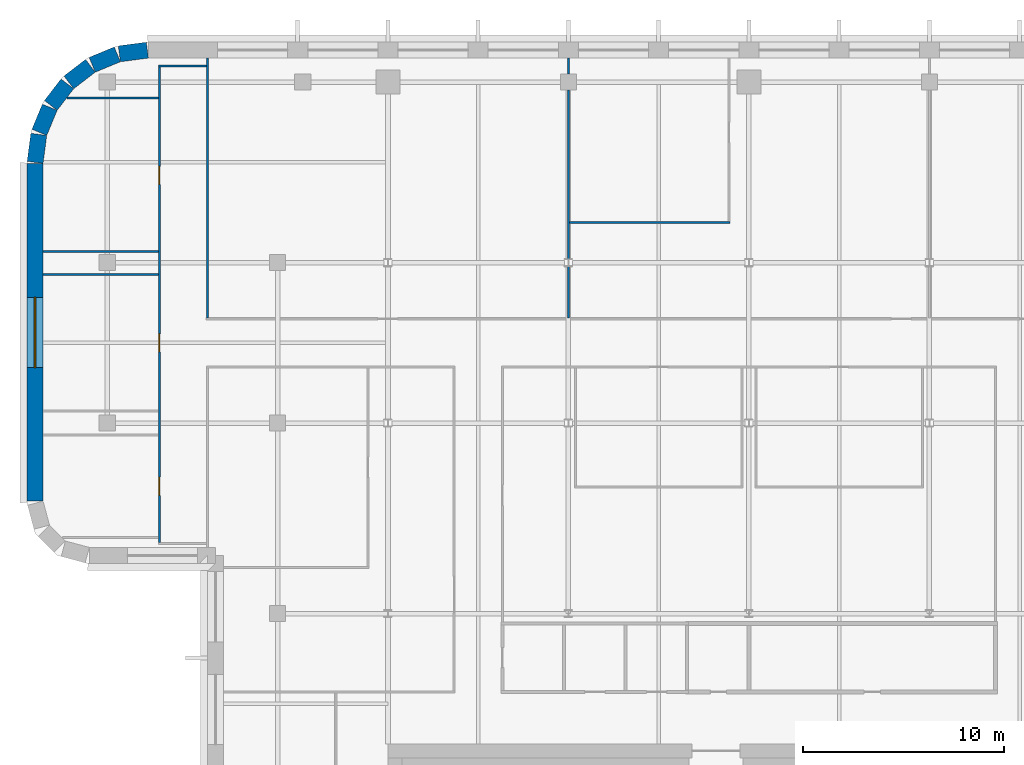
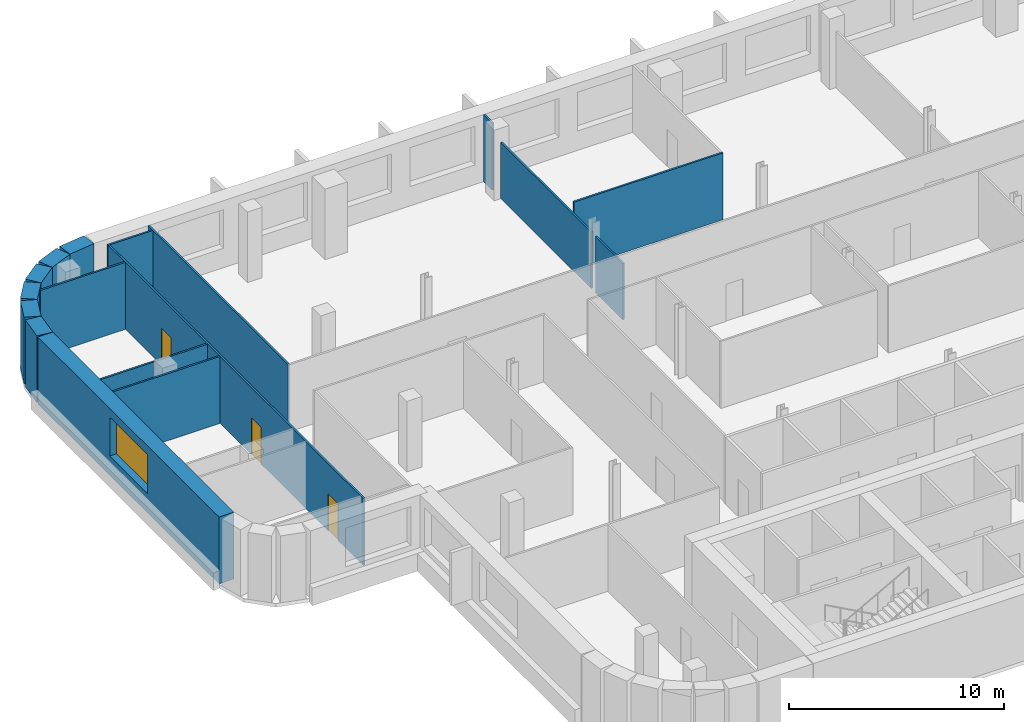
# One storey, part 10 of 17: 17 walls, 3 doors, 1 window, 4 openings.
"""IFC4 building model written with IfcOpenShell, lengths in metres."""

from ifc_helpers import new_model, si_unit, direction, frame, frame_2d, origin, place, context, subcontext, project, spatial, rectangle, extrude, material, layer, layer_set, type_object, element, fill, save


model = new_model("IFC4")

# Units and contexts
model_context = context("Model", 3, precision=1e-05, world=origin(), true_north=direction((0.0, 1.0)))
body_context = subcontext(model_context, "Body", "Model", "MODEL_VIEW")
ifc_project = project(units=[si_unit("LENGTHUNIT", "METRE"), si_unit("AREAUNIT", "SQUARE_METRE"), si_unit("VOLUMEUNIT", "CUBIC_METRE"), si_unit("PLANEANGLEUNIT", "RADIAN"), si_unit("MASSUNIT", "GRAM", prefix="KILO")], contexts=[model_context])

# Site, building, storey
site_placement = place(None, origin())
site = spatial("IfcSite", under=ifc_project, at=site_placement, CompositionType="ELEMENT")
building_placement = place(site_placement, origin())
building = spatial("IfcBuilding", under=site, at=building_placement, Name="Zellij Exchange Tower", CompositionType="ELEMENT")
storey_placement = place(building_placement, frame((0.0, 0.0, 224.5)))
storey = spatial("IfcBuildingStorey", under=building, at=storey_placement, Name="L52", CompositionType="ELEMENT", Elevation=224.5)

# Walls
ifc_material_1 = material(Name="Precast concrete C40/50", Category="concrete")
ifc_layer_1 = layer(ifc_material_1, 0.800048828125)
ifc_layer_set_1 = layer_set([ifc_layer_1], Name="Precast concrete C40/50")
wall_type_1 = type_object("IfcWallType", Name="ENV-EW1 Precast stone-piered wall 800", PredefinedType="SOLIDWALL", material=ifc_layer_set_1)
wall_1_placement = place(storey_placement, frame((-38.999755859375, 32.5966796875, 0.0), z_axis=(0.0, 0.0, 1.0), x_axis=(-0.99144603414, -0.130517283865, 0.0)))
element("IfcWall", 1, at=wall_1_placement, inside=storey, type_object=wall_type_1, Name="fac.L52.15", PredefinedType="SOLIDWALL", context=body_context, shape_type="SweptSolid", body=[
    extrude(rectangle(XDim=1.408447265625, YDim=0.800048828125, at=frame_2d((0.7041015625, 0.0))), origin(), (0.0, 0.0, 1.0), 3.800048828125),
])
wall_2_placement = place(storey_placement, frame((-40.497314453125, 32.3857421875, 0.0), z_axis=(0.0, 0.0, 1.0), x_axis=(-0.923847774587, -0.38276009378, 0.0)))
element("IfcWall", 2, at=wall_2_placement, inside=storey, type_object=wall_type_1, Name="fac.L52.16", PredefinedType="SOLIDWALL", context=body_context, shape_type="SweptSolid", body=[
    extrude(rectangle(XDim=1.35546875, YDim=0.800048828125, at=frame_2d((0.677734375, 0.0))), origin(), (0.0, 0.0, 1.0), 3.800048828125),
])
for number, where, z_axis, x_axis, name in (
    (3, (-41.840087890625, 31.814697265625, 0.0), (0.0, 0.0, 1.0), (-0.793272915452, -0.608866226366, 0.0), "fac.L52.17"),
    (4, (-42.9892578125, 30.91552734375, 0.0), (0.0, 0.0, 1.0), (-0.608866226366, -0.793272915452, 0.0), "fac.L52.18"),
):
    element("IfcWall", number, at=place(storey_placement, frame(where, z_axis=z_axis, x_axis=x_axis)), inside=storey, type_object=wall_type_1, Name=name, PredefinedType="SOLIDWALL", context=body_context, shape_type="SweptSolid", body=[
        extrude(rectangle(XDim=1.355712890625, YDim=0.800048828125, at=frame_2d((0.677734375, 0.0))), origin(), (0.0, 0.0, 1.0), 3.800048828125),
    ])
wall_3_placement = place(storey_placement, frame((-43.866943359375, 29.74951171875, 0.0), z_axis=(0.0, 0.0, 1.0), x_axis=(-0.38276009378, -0.923847774587, 0.0)))
element("IfcWall", 5, at=wall_3_placement, inside=storey, type_object=wall_type_1, Name="fac.L52.19", PredefinedType="SOLIDWALL", context=body_context, shape_type="SweptSolid", body=[
    extrude(rectangle(XDim=1.35546875, YDim=0.800048828125, at=frame_2d((0.677734375, 0.0))), origin(), (0.0, 0.0, 1.0), 3.800048828125),
])
wall_4_placement = place(storey_placement, frame((-44.412841796875, 28.396240234375, 0.0), z_axis=(0.0, 0.0, 1.0), x_axis=(-0.130517283865, -0.99144603414, 0.0)))
element("IfcWall", 6, at=wall_4_placement, inside=storey, type_object=wall_type_1, Name="fac.L52.20", PredefinedType="SOLIDWALL", context=body_context, shape_type="SweptSolid", body=[
    extrude(rectangle(XDim=1.408447265625, YDim=0.800048828125, at=frame_2d((0.7041015625, 0.0))), origin(), (0.0, 0.0, 1.0), 3.800048828125),
])

# Wall, opening, window
wall_5_placement = place(storey_placement, frame((-44.60009765625, 26.947509765625, 0.0), z_axis=(0.0, 0.0, 1.0), x_axis=(0.0, -1.0, 0.0)))
wall_5 = element("IfcWall", 7, at=wall_5_placement, inside=storey, type_object=wall_type_1, Name="fac.L52.21", PredefinedType="SOLIDWALL", context=body_context, shape_type="SweptSolid", body=[
    extrude(rectangle(XDim=16.842041015625, YDim=0.800048828125, at=frame_2d((8.4208984375, 0.0))), origin(), (0.0, 0.0, 1.0), 3.800048828125),
])
opening_1_placement = place(wall_5_placement, frame((6.684326171875, 0.0, 1.10009765625)))
opening_1 = element("IfcOpeningElement", 8, at=opening_1_placement, cuts=wall_5, Name="Opening FZ4.20", PredefinedType="OPENING", context=body_context, shape_type="SweptSolid", body=[
    extrude(rectangle(XDim=3.5, YDim=2.199951171875, at=frame_2d((1.75, 1.10009765625))), frame((0.0, 0.412109375, 0.0), z_axis=(0.0, -1.0, 0.0), x_axis=(1.0, 0.0, 0.0)), (0.0, 0.0, 1.0), 0.823974609375),
])
ifc_material_2 = material(Name="Aluminium frame with insulating glass", Category="aluminium")
window_type = type_object("IfcWindowType", Name="ENV-W7 Window 3500x2200", PartitioningType="SINGLE_PANEL", PredefinedType="WINDOW", material=ifc_material_2)
window_placement = place(opening_1_placement, origin())
window = element("IfcWindow", 9, at=window_placement, inside=storey, type_object=window_type, Name="Window FZ4.20", OverallHeight=2.199951171875, OverallWidth=3.5, PartitioningType="SINGLE_PANEL", PredefinedType="WINDOW", context=body_context, shape_type="SweptSolid", body=[
    extrude(rectangle(XDim=3.5, YDim=2.199951171875, at=frame_2d((1.75, 1.10009765625))), frame((0.0, 0.030029296875, 0.0), z_axis=(0.0, -1.0, 0.0), x_axis=(1.0, 0.0, 0.0)), (0.0, 0.0, 1.0), 0.06005859375),
])
fill(opening_1, window)

# Wall, openings, doors
ifc_material_3 = material(Name="Gypsum board partition on steel studs", Category="steel")
ifc_layer_2 = layer(ifc_material_3, 0.10009765625)
ifc_layer_set_2 = layer_set([ifc_layer_2], Name="Gypsum board partition on steel studs")
wall_type_2 = type_object("IfcWallType", Name="FIT-PARTITION-100", PredefinedType="PARTITIONING", material=ifc_layer_set_2)
wall_6_placement = place(storey_placement, frame((-38.39990234375, 8.050048828125, 0.0), z_axis=(0.0, 0.0, 1.0), x_axis=(0.0, 1.0, 0.0)))
wall_6 = element("IfcWall", 10, at=wall_6_placement, inside=storey, type_object=wall_type_2, Name="FIT-PARTITION-100 035", PredefinedType="PARTITIONING", context=body_context, shape_type="SweptSolid", body=[
    extrude(rectangle(XDim=23.699951171875, YDim=0.10009765625, at=frame_2d((11.85009765625, 0.0))), origin(), (0.0, 0.0, 1.0), 3.800048828125),
])
opening_2_placement = place(wall_6_placement, frame((2.35009765625, 0.0, 0.0)))
opening_2 = element("IfcOpeningElement", 11, at=opening_2_placement, cuts=wall_6, Name="Opening O4A.16", PredefinedType="OPENING", context=body_context, shape_type="SweptSolid", body=[
    extrude(rectangle(XDim=0.89990234375, YDim=2.10009765625, at=frame_2d((0.449951171875, 1.050048828125))), frame((0.0, 0.06201171875, 0.0), z_axis=(0.0, -1.0, 0.0), x_axis=(1.0, 0.0, 0.0)), (0.0, 0.0, 1.0), 0.1240234375),
])
opening_3_placement = place(wall_6_placement, frame((9.5, 0.0, 0.0)))
opening_3 = element("IfcOpeningElement", 12, at=opening_3_placement, cuts=wall_6, Name="Opening O4A.24", PredefinedType="OPENING", context=body_context, shape_type="SweptSolid", body=[
    extrude(rectangle(XDim=0.89990234375, YDim=2.10009765625, at=frame_2d((0.449951171875, 1.050048828125))), frame((0.0, 0.06201171875, 0.0), z_axis=(0.0, -1.0, 0.0), x_axis=(1.0, 0.0, 0.0)), (0.0, 0.0, 1.0), 0.1240234375),
])
opening_4_placement = place(wall_6_placement, frame((17.85009765625, 0.0, 0.0)))
opening_4 = element("IfcOpeningElement", 13, at=opening_4_placement, cuts=wall_6, Name="Opening O4A.29", PredefinedType="OPENING", context=body_context, shape_type="SweptSolid", body=[
    extrude(rectangle(XDim=0.89990234375, YDim=2.10009765625, at=frame_2d((0.449951171875, 1.050048828125))), frame((0.0, 0.06201171875, 0.0), z_axis=(0.0, -1.0, 0.0), x_axis=(1.0, 0.0, 0.0)), (0.0, 0.0, 1.0), 0.1240234375),
])
ifc_material_4 = material(Name="Timber door set", Category="wood")
door_type = type_object("IfcDoorType", Name="FIT-D1-ROOM-900X2100", OperationType="SINGLE_SWING_LEFT", PredefinedType="DOOR", material=ifc_material_4)
door_1_placement = place(opening_2_placement, origin())
door_1 = element("IfcDoor", 14, at=door_1_placement, inside=storey, type_object=door_type, Name="Door O4A.16", OperationType="SINGLE_SWING_RIGHT", OverallHeight=2.10009765625, OverallWidth=0.89990234375, PredefinedType="DOOR", context=body_context, shape_type="SweptSolid", body=[
    extrude(rectangle(XDim=0.89990234375, YDim=2.10009765625, at=frame_2d((0.449951171875, 1.050048828125))), frame((0.0, 0.02490234375, 0.0), z_axis=(0.0, -1.0, 0.0), x_axis=(1.0, 0.0, 0.0)), (0.0, 0.0, 1.0), 0.050048828125),
])
fill(opening_2, door_1)
door_2_placement = place(opening_3_placement, origin())
door_2 = element("IfcDoor", 15, at=door_2_placement, inside=storey, type_object=door_type, Name="Door O4A.24", OperationType="SINGLE_SWING_LEFT", OverallHeight=2.10009765625, OverallWidth=0.89990234375, PredefinedType="DOOR", context=body_context, shape_type="SweptSolid", body=[
    extrude(rectangle(XDim=0.89990234375, YDim=2.10009765625, at=frame_2d((0.449951171875, 1.050048828125))), frame((0.0, 0.02490234375, 0.0), z_axis=(0.0, -1.0, 0.0), x_axis=(1.0, 0.0, 0.0)), (0.0, 0.0, 1.0), 0.050048828125),
])
fill(opening_3, door_2)
door_3_placement = place(opening_4_placement, origin())
door_3 = element("IfcDoor", 16, at=door_3_placement, inside=storey, type_object=door_type, Name="Door O4A.29", OperationType="SINGLE_SWING_RIGHT", OverallHeight=2.10009765625, OverallWidth=0.89990234375, PredefinedType="DOOR", context=body_context, shape_type="SweptSolid", body=[
    extrude(rectangle(XDim=0.89990234375, YDim=2.10009765625, at=frame_2d((0.449951171875, 1.050048828125))), frame((0.0, 0.02490234375, 0.0), z_axis=(0.0, -1.0, 0.0), x_axis=(1.0, 0.0, 0.0)), (0.0, 0.0, 1.0), 0.050048828125),
])
fill(opening_4, door_3)

# Walls
wall_7_placement = place(storey_placement, frame((-36.0, 19.25, 0.0), z_axis=(0.0, 0.0, 1.0), x_axis=(0.0, 1.0, 0.0)))
element("IfcWall", 17, at=wall_7_placement, inside=storey, type_object=wall_type_2, Name="FIT-PARTITION-100 059", PredefinedType="PARTITIONING", context=body_context, shape_type="SweptSolid", body=[
    extrude(rectangle(XDim=12.949951171875, YDim=0.10009765625, at=frame_2d((6.47509765625, 0.0))), origin(), (0.0, 0.0, 1.0), 3.800048828125),
])
wall_8_placement = place(storey_placement, frame((-18.0, 19.25, 0.0), z_axis=(0.0, 0.0, 1.0), x_axis=(0.0, 1.0, 0.0)))
element("IfcWall", 18, at=wall_8_placement, inside=storey, type_object=wall_type_2, Name="FIT-PARTITION-100 060", PredefinedType="PARTITIONING", context=body_context, shape_type="SweptSolid", body=[
    extrude(rectangle(XDim=2.556884765625, YDim=0.10009765625, at=frame_2d((1.2783203125, 0.0))), origin(), (0.0, 0.0, 1.0), 3.19287109375),
])
wall_9_placement = place(storey_placement, frame((-18.0, 22.193115234375, 0.0), z_axis=(0.0, 0.0, 1.0), x_axis=(0.0, 1.0, 0.0)))
element("IfcWall", 19, at=wall_9_placement, inside=storey, type_object=wall_type_2, Name="FIT-PARTITION-100 061", PredefinedType="PARTITIONING", context=body_context, shape_type="SweptSolid", body=[
    extrude(rectangle(XDim=8.406982421875, YDim=0.10009765625, at=frame_2d((4.20361328125, 0.0))), origin(), (0.0, 0.0, 1.0), 3.19287109375),
])
wall_10_placement = place(storey_placement, frame((-18.0, 31.39990234375, 0.0), z_axis=(0.0, 0.0, 1.0), x_axis=(0.0, 1.0, 0.0)))
element("IfcWall", 20, at=wall_10_placement, inside=storey, type_object=wall_type_2, Name="FIT-PARTITION-100 062", PredefinedType="PARTITIONING", context=body_context, shape_type="SweptSolid", body=[
    extrude(rectangle(XDim=0.800048828125, YDim=0.10009765625, at=frame_2d((0.39990234375, 0.0))), origin(), (0.0, 0.0, 1.0), 3.800048828125),
])
for number, where, z_axis, x_axis, name in (
    (21, (-44.199951171875, 21.39990234375, 0.0), (0.0, 0.0, 1.0), (1.0, 0.0, 0.0), "FIT-PARTITION-100 069"),
    (22, (-44.199951171875, 22.550048828125, 0.0), (0.0, 0.0, 1.0), (1.0, 0.0, 0.0), "FIT-PARTITION-100 070"),
):
    element("IfcWall", number, at=place(storey_placement, frame(where, z_axis=z_axis, x_axis=x_axis)), inside=storey, type_object=wall_type_2, Name=name, PredefinedType="PARTITIONING", context=body_context, shape_type="SweptSolid", body=[
        extrude(rectangle(XDim=5.75, YDim=0.10009765625, at=frame_2d((2.875, 0.0))), origin(), (0.0, 0.0, 1.0), 3.800048828125),
    ])
wall_11_placement = place(storey_placement, frame((-17.949951171875, 24.0, 0.0), z_axis=(0.0, 0.0, 1.0), x_axis=(1.0, 0.0, 0.0)))
element("IfcWall", 23, at=wall_11_placement, inside=storey, type_object=wall_type_2, Name="FIT-PARTITION-100 071", PredefinedType="PARTITIONING", context=body_context, shape_type="SweptSolid", body=[
    extrude(rectangle(XDim=8.0, YDim=0.10009765625, at=frame_2d((4.0, 0.0))), origin(), (0.0, 0.0, 1.0), 3.800048828125),
])
wall_12_placement = place(storey_placement, frame((-43.0, 30.199951171875, 0.0), z_axis=(0.0, 0.0, 1.0), x_axis=(1.0, 0.0, 0.0)))
element("IfcWall", 24, at=wall_12_placement, inside=storey, type_object=wall_type_2, Name="FIT-PARTITION-100 075", PredefinedType="PARTITIONING", context=body_context, shape_type="SweptSolid", body=[
    extrude(rectangle(XDim=4.550048828125, YDim=0.10009765625, at=frame_2d((2.27490234375, 0.0))), origin(), (0.0, 0.0, 1.0), 3.800048828125),
])
wall_13_placement = place(storey_placement, frame((-38.449951171875, 31.800048828125, 0.0), z_axis=(0.0, 0.0, 1.0), x_axis=(1.0, 0.0, 0.0)))
element("IfcWall", 25, at=wall_13_placement, inside=storey, type_object=wall_type_2, Name="FIT-PARTITION-100 076", PredefinedType="PARTITIONING", context=body_context, shape_type="SweptSolid", body=[
    extrude(rectangle(XDim=2.39990234375, YDim=0.10009765625, at=frame_2d((1.199951171875, 0.0))), origin(), (0.0, 0.0, 1.0), 3.800048828125),
])

save(model, "model.ifc")
